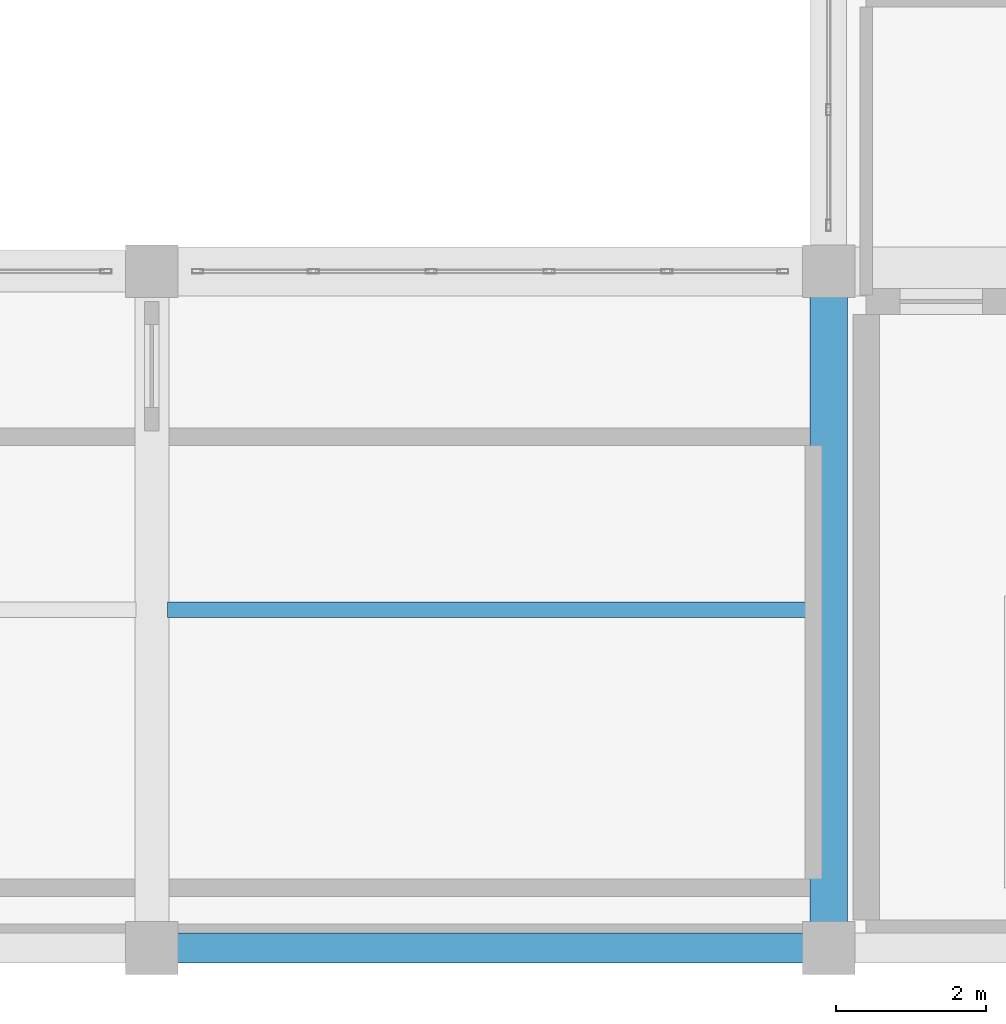
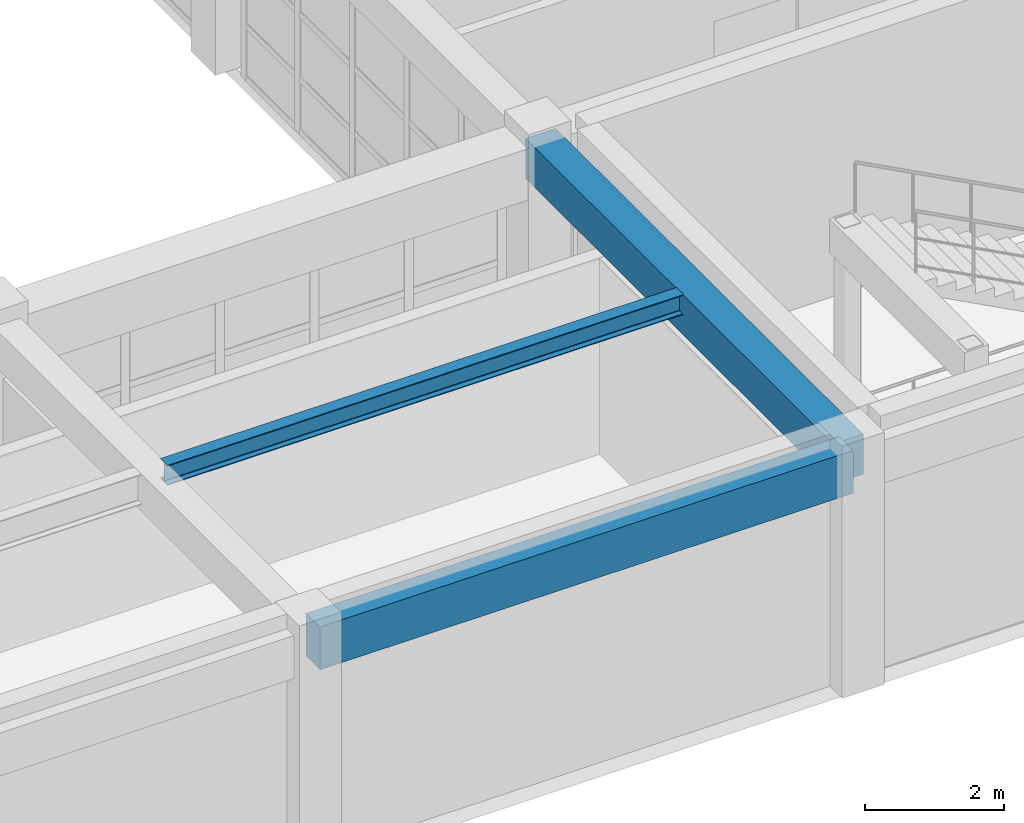
# One storey, part 30 of 133: 3 beams.
"""IFC4 building model written with IfcOpenShell, lengths in metres."""

import ifcopenshell
import ifcopenshell.guid

model = None  # the IFC model being written
_history = None  # IfcOwnerHistory: only IFC2X3 demands one
_inside = {}  # id of a spatial element -> (the spatial element, [elements in it])
_under = {}  # id of a project, library or spatial element -> (it, [spatial elements below it])
_declared = {}  # id of a project -> (the project, [libraries it declares])
_typed = {}  # id of a type object -> (the type object, [elements of that type])
_made_of = {}  # id of a material, layer set ... -> (it, [elements and type objects made of it])


def new_model(schema):
    """Start an empty IFC model of exactly this schema.

    Asked for "IFC4X3", IfcOpenShell would pick the latest addendum, in which some entities
    have other attributes; the version numbers below select the first issue.
    IFC2X3 requires an IfcOwnerHistory on every rooted entity: one is made here for all.
    """
    global model, _history
    if schema == "IFC4X3":
        model = ifcopenshell.file(schema_version=(4, 3, 0, 0))
    else:
        model = ifcopenshell.file(schema=schema)
    _inside.clear()
    _under.clear()
    _declared.clear()
    _typed.clear()
    _made_of.clear()
    _history = None
    if model.schema == "IFC2X3":
        org = make("IfcOrganization", Name="unknown")
        user = make(
            "IfcPersonAndOrganization",
            ThePerson=make("IfcPerson", FamilyName="unknown"),
            TheOrganization=org,
        )
        app = make(
            "IfcApplication",
            ApplicationDeveloper=org,
            Version="unknown",
            ApplicationFullName="unknown",
            ApplicationIdentifier="unknown",
        )
        _history = make(
            "IfcOwnerHistory",
            OwningUser=user,
            OwningApplication=app,
            ChangeAction="ADDED",
            CreationDate=0,
        )
    return model


def make(cls, **values):
    """One entity of the class cls with the attributes given. An attribute that is None is left unset."""
    return model.create_entity(
        cls, **{name: value for name, value in values.items() if value is not None}
    )


def rooted(cls, **values):
    """An entity with a GlobalId (a new one), such as an element, a storey or a relation."""
    return make(cls, GlobalId=ifcopenshell.guid.new(), OwnerHistory=_history, **values)


def si_unit(unit_type, name, prefix=None):
    """IfcSIUnit, for example si_unit("LENGTHUNIT", "METRE", prefix="MILLI")."""
    return make("IfcSIUnit", UnitType=unit_type, Prefix=prefix, Name=name)


def assignment(units):
    """IfcUnitAssignment: the units of a project."""
    return None if units is None else make("IfcUnitAssignment", Units=units)


def point(xyz):
    """IfcCartesianPoint."""
    return None if xyz is None else make("IfcCartesianPoint", Coordinates=xyz)


def direction(xyz):
    """IfcDirection."""
    return None if xyz is None else make("IfcDirection", DirectionRatios=xyz)


def frame(location, z_axis=None, x_axis=None):
    """IfcAxis2Placement3D, a coordinate frame: its origin and axes. An axis left out is left unset."""
    return make(
        "IfcAxis2Placement3D",
        Location=point(location),
        Axis=direction(z_axis),
        RefDirection=direction(x_axis),
    )


def frame_2d(location, x_axis=None):
    """IfcAxis2Placement2D, a coordinate frame in the plane: its origin and x axis."""
    return make(
        "IfcAxis2Placement2D", Location=point(location), RefDirection=direction(x_axis)
    )


def origin():
    """The frame at (0, 0, 0) with its axes left unset."""
    return frame((0.0, 0.0, 0.0))


def origin_2d():
    """The frame at (0, 0) in the plane with its x axis left unset."""
    return frame_2d((0.0, 0.0))


def place(relative_to, where):
    """IfcLocalPlacement: puts the frame where relative to a parent placement (None: the world)."""
    return make(
        "IfcLocalPlacement", PlacementRelTo=relative_to, RelativePlacement=where
    )


def context(
    kind, dimensions, precision=None, world=None, true_north=None, identifier=None
):
    """IfcGeometricRepresentationContext, for example the 3D "Model" context."""
    return make(
        "IfcGeometricRepresentationContext",
        ContextIdentifier=identifier,
        ContextType=kind,
        CoordinateSpaceDimension=dimensions,
        Precision=precision,
        WorldCoordinateSystem=world,
        TrueNorth=true_north,
    )


def subcontext(parent, identifier, kind, view, scale=None):
    """IfcGeometricRepresentationSubContext, for example "Body" below "Model"."""
    return make(
        "IfcGeometricRepresentationSubContext",
        ContextIdentifier=identifier,
        ContextType=kind,
        ParentContext=parent,
        TargetScale=scale,
        TargetView=view,
    )


def project(units=None, contexts=None):
    """IfcProject with its units and contexts."""
    return rooted(
        "IfcProject",
        Name="project",
        RepresentationContexts=contexts,
        UnitsInContext=assignment(units),
    )


def spatial(cls, under=None, at=None, **own):
    """A site, building, storey or space (cls), placed at a placement, below another one or the project."""
    s = rooted(cls, ObjectPlacement=at, **own)
    if under is not None:
        _under.setdefault(under.id(), (under, []))[1].append(s)
    return s


def profile(cls, at=None, kind="AREA", **sizes):
    """A parametric profile (cls). Its sizes go by their IFC names, for example OverallWidth=200.0."""
    return make(cls, ProfileType=kind, Position=at, **sizes)


def rectangle(**sizes):
    """IfcRectangleProfileDef."""
    return profile("IfcRectangleProfileDef", **sizes)


def i_section(**sizes):
    """IfcIShapeProfileDef."""
    return profile("IfcIShapeProfileDef", **sizes)


def extrude(swept, where, along, depth):
    """IfcExtrudedAreaSolid: the profile swept, set in the frame where, extruded along a direction by depth."""
    return make(
        "IfcExtrudedAreaSolid",
        SweptArea=swept,
        Position=where,
        ExtrudedDirection=direction(along),
        Depth=depth,
    )


def shape(context_of_items, identifier, shape_type, items):
    """IfcShapeRepresentation: the items that make up one representation, for example the "Body"."""
    return make(
        "IfcShapeRepresentation",
        ContextOfItems=context_of_items,
        RepresentationIdentifier=identifier,
        RepresentationType=shape_type,
        Items=items,
    )


def material(Name=None, Category=None):
    """IfcMaterial."""
    return make("IfcMaterial", Name=Name, Category=Category)


def material_profile(
    of_material, cross_section, Name=None, Category=None, Priority=None
):
    """IfcMaterialProfile: a cross section and its material."""
    return make(
        "IfcMaterialProfile",
        Name=Name,
        Material=of_material,
        Profile=cross_section,
        Priority=Priority,
        Category=Category,
    )


def profile_set(profiles, Name=None, composite=None):
    """IfcMaterialProfileSet."""
    return make(
        "IfcMaterialProfileSet",
        Name=Name,
        MaterialProfiles=profiles,
        CompositeProfile=composite,
    )


def made_of(thing, what):
    """Note that an element or type object is made of a material, layer set ...; save() writes the relation."""
    if what is not None:
        _made_of.setdefault(what.id(), (what, []))[1].append(thing)
    return thing


def type_object(cls, material=None, **own):
    """A type object (cls), such as IfcWallType, which elements share."""
    return made_of(rooted(cls, **own), material)


def element(
    cls,
    number,
    at=None,
    inside=None,
    cuts=None,
    type_object=None,
    material=None,
    context=None,
    identifier="Body",
    shape_type=None,
    held_by="IfcProductDefinitionShape",
    body=None,
    shapes=None,
    **own,
):
    """One element of the class cls, such as IfcWall. Its Tag is "e" and its number.

    at: its placement. inside: the storey or other place that contains it. cuts: it is an
    opening in that element (IfcRelVoidsElement). A single representation is given by context,
    identifier, shape_type and body (its items); several are given by shapes. held_by: the class
    of the entity that holds the representations. save() writes the other relations.
    """
    e = rooted(cls, Tag="e%d" % number, ObjectPlacement=at, **own)
    if body is not None:
        shapes = [shape(context, identifier, shape_type, body)]
    if shapes is not None:
        e.Representation = make(held_by, Representations=shapes)
    if inside is not None:
        _inside.setdefault(inside.id(), (inside, []))[1].append(e)
    if cuts is not None:
        rooted(
            "IfcRelVoidsElement", RelatingBuildingElement=cuts, RelatedOpeningElement=e
        )
    if type_object is not None:
        _typed.setdefault(type_object.id(), (type_object, []))[1].append(e)
    return made_of(e, material)


def aggregate(whole, parts):
    """IfcRelAggregates: a whole, such as a stair, and the parts it consists of."""
    return rooted("IfcRelAggregates", RelatingObject=whole, RelatedObjects=parts)


def save(model, path):
    """Write the relations noted so far, then the file.

    IfcRelAggregates (storeys below a building ...), IfcRelContainedInSpatialStructure (elements
    in a storey), IfcRelDefinesByType, IfcRelAssociatesMaterial and IfcRelDeclares: one each for
    every whole, place, type object, material and project.
    """
    for whole, parts in _under.values():
        aggregate(whole, parts)
    for where, things in _inside.values():
        rooted(
            "IfcRelContainedInSpatialStructure",
            RelatedElements=things,
            RelatingStructure=where,
        )
    for kind, things in _typed.values():
        rooted("IfcRelDefinesByType", RelatedObjects=things, RelatingType=kind)
    for what, things in _made_of.values():
        rooted("IfcRelAssociatesMaterial", RelatedObjects=things, RelatingMaterial=what)
    for by, libraries in _declared.values():
        rooted("IfcRelDeclares", RelatingContext=by, RelatedDefinitions=libraries)
    model.write(path)


model = new_model("IFC4")

# Units and contexts
model_context = context("Model", 3, precision=1e-05, world=origin(), true_north=direction((0.0, 1.0)))
body_context = subcontext(model_context, "Body", "Model", "MODEL_VIEW")
ifc_project = project(units=[si_unit("LENGTHUNIT", "METRE"), si_unit("AREAUNIT", "SQUARE_METRE"), si_unit("VOLUMEUNIT", "CUBIC_METRE"), si_unit("PLANEANGLEUNIT", "RADIAN"), si_unit("MASSUNIT", "GRAM", prefix="KILO")], contexts=[model_context])

# Site, building, storey
site_placement = place(None, origin())
site = spatial("IfcSite", under=ifc_project, at=site_placement, CompositionType="ELEMENT")
building_placement = place(site_placement, origin())
building = spatial("IfcBuilding", under=site, at=building_placement, Name="Miravela Opera House", CompositionType="ELEMENT")
storey_placement = place(building_placement, frame((0.0, 0.0, 5.10009765625)))
storey = spatial("IfcBuildingStorey", under=building, at=storey_placement, Name="L01", CompositionType="ELEMENT", Elevation=5.10009765625)

# Beams
ifc_material_1 = material(Name="Concrete C35/45", Category="concrete")
ifc_material_profile_1 = material_profile(ifc_material_1, rectangle(XDim=0.5, YDim=0.699951171875, at=origin_2d()), Name="RC-BM-500X700")
ifc_profile_set_1 = profile_set([ifc_material_profile_1])
beam_type_1 = type_object("IfcBeamType", Name="STR-BM-RC500X700", PredefinedType="BEAM", material=ifc_profile_set_1)
beam_1_placement = place(storey_placement, frame((63.0, 0.080078125, 3.809814453125), z_axis=(0.0, 1.0, 0.0), x_axis=(-1.0, 0.0, 0.0)))
element("IfcBeam", 1, at=beam_1_placement, inside=storey, type_object=beam_type_1, Name="Floor Girder L01 8/A-B", PredefinedType="BEAM", context=body_context, shape_type="SweptSolid", body=[
    extrude(rectangle(XDim=0.5, YDim=0.699951171875, at=origin_2d()), origin(), (0.0, 0.0, 1.0), 8.83984375),
])
ifc_material_2 = material(Name="Structural steel ASTM A992 Gr. 50", Category="steel")
ifc_material_profile_2 = material_profile(ifc_material_2, i_section(OverallWidth=0.2041015625, OverallDepth=0.35009765625, WebThickness=0.008544921875, FlangeThickness=0.01513671875, FilletRadius=0.013916015625, at=origin_2d()), Name="W360X72")
ifc_profile_set_2 = profile_set([ifc_material_profile_2])
beam_type_2 = type_object("IfcBeamType", Name="STR-BM-W360X72", PredefinedType="JOIST", material=ifc_profile_set_2)
beam_2_placement = place(storey_placement, frame((54.2099609375, 4.5, 3.98486328125), z_axis=(1.0, 0.0, 0.0), x_axis=(0.0, 1.0, 0.0)))
element("IfcBeam", 2, at=beam_2_placement, inside=storey, type_object=beam_type_2, Name="Secondary Floor Joist L01 7-8/A-B", PredefinedType="JOIST", context=body_context, shape_type="SweptSolid", body=[
    extrude(i_section(OverallWidth=0.2041015625, OverallDepth=0.35009765625, WebThickness=0.008544921875, FlangeThickness=0.01513671875, FilletRadius=0.013916015625, at=origin_2d()), origin(), (0.0, 0.0, 1.0), 8.554931640625),
])
ifc_material_profile_3 = material_profile(ifc_material_1, rectangle(XDim=0.39990234375, YDim=0.75, at=origin_2d()), Name="RC-SPN-400X750")
ifc_profile_set_3 = profile_set([ifc_material_profile_3])
beam_type_3 = type_object("IfcBeamType", Name="STR-SPN-RC400X750", PredefinedType="SPANDREL", material=ifc_profile_set_3)
beam_3_placement = place(storey_placement, frame((54.080078125, 0.0, 3.784912109375), z_axis=(1.0, 0.0, 0.0), x_axis=(0.0, 1.0, 0.0)))
element("IfcBeam", 3, at=beam_3_placement, inside=storey, type_object=beam_type_3, Name="Floor Girder L01 7-8/A", PredefinedType="SPANDREL", context=body_context, shape_type="SweptSolid", body=[
    extrude(rectangle(XDim=0.39990234375, YDim=0.75, at=origin_2d()), origin(), (0.0, 0.0, 1.0), 8.83984375),
])

save(model, "model.ifc")
